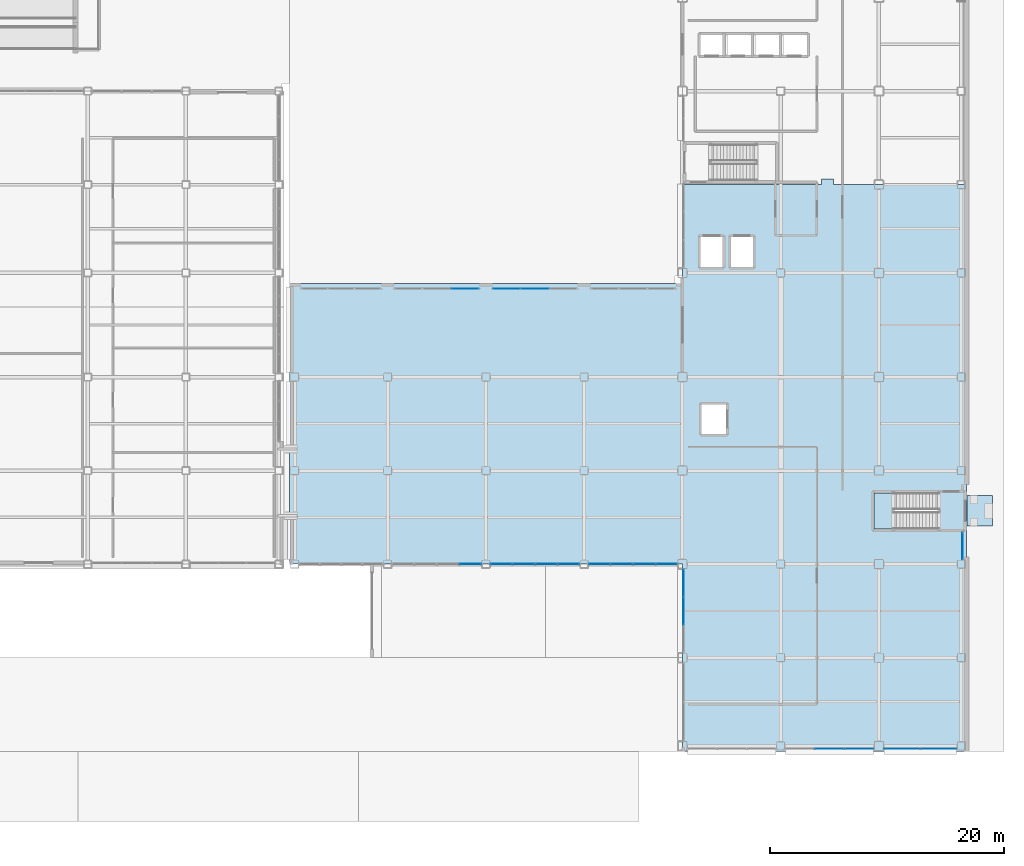
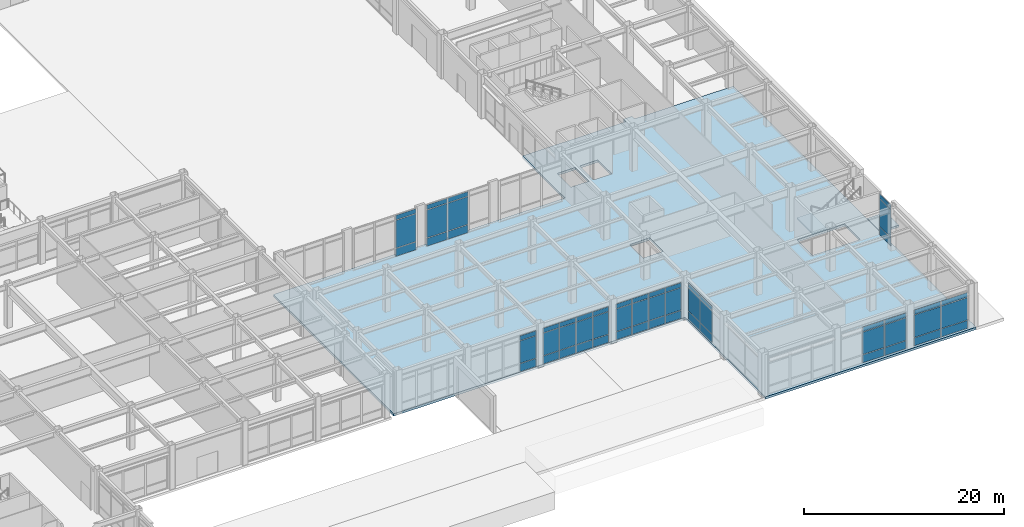
# One storey, part 120 of 165: 57 plates, 3 slabs, 10 elements without a shape of their own.
"""IFC4 building model written with IfcOpenShell, lengths in metres."""

from ifc_helpers import new_model, si_unit, direction, frame, origin, origin_2d, place, context, subcontext, project, spatial, polyline, rectangle, outline, extrude, material, layer, layer_set, type_object, element, aggregate, save


model = new_model("IFC4")

# Units and contexts
model_context = context("Model", 3, precision=1e-05, world=origin(), true_north=direction((0.0, 1.0)))
body_context = subcontext(model_context, "Body", "Model", "MODEL_VIEW")
ifc_project = project(units=[si_unit("LENGTHUNIT", "METRE"), si_unit("AREAUNIT", "SQUARE_METRE"), si_unit("VOLUMEUNIT", "CUBIC_METRE"), si_unit("PLANEANGLEUNIT", "RADIAN"), si_unit("MASSUNIT", "GRAM", prefix="KILO")], contexts=[model_context])

# Site, building, storey
site_placement = place(None, origin())
site = spatial("IfcSite", under=ifc_project, at=site_placement, CompositionType="ELEMENT")
building_placement = place(site_placement, origin())
building = spatial("IfcBuilding", under=site, at=building_placement, Name="Kazehara Bluff Congress Hotel", CompositionType="ELEMENT")
storey_placement = place(building_placement, origin())
storey = spatial("IfcBuildingStorey", under=building, at=storey_placement, Name="L00", CompositionType="ELEMENT", Elevation=0.0)

# Curtain wall, plates
ifc_material_1 = material(Name="Anodised aluminium", Category="aluminium")
ifc_layer_1 = layer(ifc_material_1, 0.159912109375)
ifc_layer_set_1 = layer_set([ifc_layer_1], Name="Anodised aluminium")
curtain_wall_type_1 = type_object("IfcCurtainWallType", Name="TP-CW-26", PredefinedType="NOTDEFINED", material=ifc_layer_set_1)
curtain_wall_1_placement = place(storey_placement, origin())
curtain_wall_1 = element("IfcCurtainWall", 1, at=curtain_wall_1_placement, inside=storey, type_object=curtain_wall_type_1, Name="L00 curtain wall CW-26 CW-V5-L00-Y1600-11885", PredefinedType="NOTDEFINED")
ifc_material_2 = material(Name="Insulated low-E double glazing", Category="glass")
ifc_layer_2 = layer(ifc_material_2, 0.031982421875)
ifc_layer_set_2 = layer_set([ifc_layer_2], Name="Insulated low-E double glazing")
plate_type = type_object("IfcPlateType", Name="TP-CWP-02", PredefinedType="CURTAIN_PANEL", material=ifc_layer_set_2)
plate_1_placement = place(storey_placement, frame((125.570068359375, 16.0, 0.06494140625), z_axis=(0.0, 0.0, 1.0), x_axis=(1.0, 0.0, 0.0)))
plate_1 = element("IfcPlate", 2, at=plate_1_placement, type_object=plate_type, Name="CW-26 panel 4.1", PredefinedType="CURTAIN_PANEL", context=body_context, shape_type="SweptSolid", body=[
    extrude(rectangle(XDim=1.820068359375, YDim=0.031982421875, at=origin_2d()), origin(), (0.0, 0.0, 1.0), 0.952392578125),
])
plate_2_placement = place(storey_placement, frame((125.570068359375, 16.0, 1.08251953125), z_axis=(0.0, 0.0, 1.0), x_axis=(1.0, 0.0, 0.0)))
plate_2 = element("IfcPlate", 3, at=plate_2_placement, type_object=plate_type, Name="CW-26 panel 4.2", PredefinedType="CURTAIN_PANEL", context=body_context, shape_type="SweptSolid", body=[
    extrude(rectangle(XDim=1.820068359375, YDim=0.031982421875, at=origin_2d()), origin(), (0.0, 0.0, 1.0), 2.7099609375),
])
plate_3_placement = place(storey_placement, frame((125.570068359375, 16.0, 3.857421875), z_axis=(0.0, 0.0, 1.0), x_axis=(1.0, 0.0, 0.0)))
plate_3 = element("IfcPlate", 4, at=plate_3_placement, type_object=plate_type, Name="CW-26 panel 4.3", PredefinedType="CURTAIN_PANEL", context=body_context, shape_type="SweptSolid", body=[
    extrude(rectangle(XDim=1.820068359375, YDim=0.031982421875, at=origin_2d()), origin(), (0.0, 0.0, 1.0), 0.552490234375),
])
aggregate(curtain_wall_1, [plate_1, plate_2, plate_3])

curtain_wall_2_placement = place(storey_placement, origin())
curtain_wall_2 = element("IfcCurtainWall", 5, at=curtain_wall_2_placement, inside=storey, type_object=curtain_wall_type_1, Name="L00 curtain wall CW-26 CW-V5-L00-Y1600-12725", PredefinedType="NOTDEFINED")
plate_4_placement = place(storey_placement, frame((128.22998046875, 16.0, 0.06494140625), z_axis=(0.0, 0.0, 1.0), x_axis=(1.0, 0.0, 0.0)))
plate_4 = element("IfcPlate", 6, at=plate_4_placement, type_object=plate_type, Name="CW-26 panel 1.1", PredefinedType="CURTAIN_PANEL", context=body_context, shape_type="SweptSolid", body=[
    extrude(rectangle(XDim=1.820068359375, YDim=0.031982421875, at=origin_2d()), origin(), (0.0, 0.0, 1.0), 0.952392578125),
])
plate_5_placement = place(storey_placement, frame((128.22998046875, 16.0, 1.08251953125), z_axis=(0.0, 0.0, 1.0), x_axis=(1.0, 0.0, 0.0)))
plate_5 = element("IfcPlate", 7, at=plate_5_placement, type_object=plate_type, Name="CW-26 panel 1.2", PredefinedType="CURTAIN_PANEL", context=body_context, shape_type="SweptSolid", body=[
    extrude(rectangle(XDim=1.820068359375, YDim=0.031982421875, at=origin_2d()), origin(), (0.0, 0.0, 1.0), 2.7099609375),
])
plate_6_placement = place(storey_placement, frame((128.22998046875, 16.0, 3.857421875), z_axis=(0.0, 0.0, 1.0), x_axis=(1.0, 0.0, 0.0)))
plate_6 = element("IfcPlate", 8, at=plate_6_placement, type_object=plate_type, Name="CW-26 panel 1.3", PredefinedType="CURTAIN_PANEL", context=body_context, shape_type="SweptSolid", body=[
    extrude(rectangle(XDim=1.820068359375, YDim=0.031982421875, at=origin_2d()), origin(), (0.0, 0.0, 1.0), 0.552490234375),
])
plate_7_placement = place(storey_placement, frame((130.137451171875, 16.0, 0.06494140625), z_axis=(0.0, 0.0, 1.0), x_axis=(1.0, 0.0, 0.0)))
plate_7 = element("IfcPlate", 9, at=plate_7_placement, type_object=plate_type, Name="CW-26 panel 2.1", PredefinedType="CURTAIN_PANEL", context=body_context, shape_type="SweptSolid", body=[
    extrude(rectangle(XDim=1.85498046875, YDim=0.031982421875, at=origin_2d()), origin(), (0.0, 0.0, 1.0), 0.952392578125),
])
plate_8_placement = place(storey_placement, frame((130.137451171875, 16.0, 1.08251953125), z_axis=(0.0, 0.0, 1.0), x_axis=(1.0, 0.0, 0.0)))
plate_8 = element("IfcPlate", 10, at=plate_8_placement, type_object=plate_type, Name="CW-26 panel 2.2", PredefinedType="CURTAIN_PANEL", context=body_context, shape_type="SweptSolid", body=[
    extrude(rectangle(XDim=1.85498046875, YDim=0.031982421875, at=origin_2d()), origin(), (0.0, 0.0, 1.0), 2.7099609375),
])
plate_9_placement = place(storey_placement, frame((130.137451171875, 16.0, 3.857421875), z_axis=(0.0, 0.0, 1.0), x_axis=(1.0, 0.0, 0.0)))
plate_9 = element("IfcPlate", 11, at=plate_9_placement, type_object=plate_type, Name="CW-26 panel 2.3", PredefinedType="CURTAIN_PANEL", context=body_context, shape_type="SweptSolid", body=[
    extrude(rectangle(XDim=1.85498046875, YDim=0.031982421875, at=origin_2d()), origin(), (0.0, 0.0, 1.0), 0.552490234375),
])
plate_10_placement = place(storey_placement, frame((132.0625, 16.0, 0.06494140625), z_axis=(0.0, 0.0, 1.0), x_axis=(1.0, 0.0, 0.0)))
plate_10 = element("IfcPlate", 12, at=plate_10_placement, type_object=plate_type, Name="CW-26 panel 3.1", PredefinedType="CURTAIN_PANEL", context=body_context, shape_type="SweptSolid", body=[
    extrude(rectangle(XDim=1.85498046875, YDim=0.031982421875, at=origin_2d()), origin(), (0.0, 0.0, 1.0), 0.952392578125),
])
plate_11_placement = place(storey_placement, frame((132.0625, 16.0, 1.08251953125), z_axis=(0.0, 0.0, 1.0), x_axis=(1.0, 0.0, 0.0)))
plate_11 = element("IfcPlate", 13, at=plate_11_placement, type_object=plate_type, Name="CW-26 panel 3.2", PredefinedType="CURTAIN_PANEL", context=body_context, shape_type="SweptSolid", body=[
    extrude(rectangle(XDim=1.85498046875, YDim=0.031982421875, at=origin_2d()), origin(), (0.0, 0.0, 1.0), 2.7099609375),
])
plate_12_placement = place(storey_placement, frame((132.0625, 16.0, 3.857421875), z_axis=(0.0, 0.0, 1.0), x_axis=(1.0, 0.0, 0.0)))
plate_12 = element("IfcPlate", 14, at=plate_12_placement, type_object=plate_type, Name="CW-26 panel 3.3", PredefinedType="CURTAIN_PANEL", context=body_context, shape_type="SweptSolid", body=[
    extrude(rectangle(XDim=1.85498046875, YDim=0.031982421875, at=origin_2d()), origin(), (0.0, 0.0, 1.0), 0.552490234375),
])
plate_13_placement = place(storey_placement, frame((133.969970703125, 16.0, 0.06494140625), z_axis=(0.0, 0.0, 1.0), x_axis=(1.0, 0.0, 0.0)))
plate_13 = element("IfcPlate", 15, at=plate_13_placement, type_object=plate_type, Name="CW-26 panel 4.1", PredefinedType="CURTAIN_PANEL", context=body_context, shape_type="SweptSolid", body=[
    extrude(rectangle(XDim=1.820068359375, YDim=0.031982421875, at=origin_2d()), origin(), (0.0, 0.0, 1.0), 0.952392578125),
])
plate_14_placement = place(storey_placement, frame((133.969970703125, 16.0, 1.08251953125), z_axis=(0.0, 0.0, 1.0), x_axis=(1.0, 0.0, 0.0)))
plate_14 = element("IfcPlate", 16, at=plate_14_placement, type_object=plate_type, Name="CW-26 panel 4.2", PredefinedType="CURTAIN_PANEL", context=body_context, shape_type="SweptSolid", body=[
    extrude(rectangle(XDim=1.820068359375, YDim=0.031982421875, at=origin_2d()), origin(), (0.0, 0.0, 1.0), 2.7099609375),
])
plate_15_placement = place(storey_placement, frame((133.969970703125, 16.0, 3.857421875), z_axis=(0.0, 0.0, 1.0), x_axis=(1.0, 0.0, 0.0)))
plate_15 = element("IfcPlate", 17, at=plate_15_placement, type_object=plate_type, Name="CW-26 panel 4.3", PredefinedType="CURTAIN_PANEL", context=body_context, shape_type="SweptSolid", body=[
    extrude(rectangle(XDim=1.820068359375, YDim=0.031982421875, at=origin_2d()), origin(), (0.0, 0.0, 1.0), 0.552490234375),
])
aggregate(curtain_wall_2, [plate_4, plate_5, plate_6, plate_7, plate_8, plate_9, plate_10, plate_11, plate_12, plate_13, plate_14, plate_15])

ifc_material_3 = material(Name="Anodised aluminium", Category="aluminium")
ifc_layer_3 = layer(ifc_material_3, 0.159912109375)
ifc_layer_set_3 = layer_set([ifc_layer_3], Name="Anodised aluminium")
curtain_wall_type_2 = type_object("IfcCurtainWallType", Name="TP-CW-19", PredefinedType="NOTDEFINED", material=ifc_layer_set_3)
curtain_wall_3_placement = place(storey_placement, origin())
curtain_wall_3 = element("IfcCurtainWall", 18, at=curtain_wall_3_placement, inside=storey, type_object=curtain_wall_type_2, Name="L00 curtain wall CW-19 CW-V5-L00-Y1600-13565", PredefinedType="NOTDEFINED")
plate_16_placement = place(storey_placement, frame((136.623779296875, 16.0, 0.06494140625), z_axis=(0.0, 0.0, 1.0), x_axis=(1.0, 0.0, 0.0)))
plate_16 = element("IfcPlate", 19, at=plate_16_placement, type_object=plate_type, Name="CW-19 panel 1.1", PredefinedType="CURTAIN_PANEL", context=body_context, shape_type="SweptSolid", body=[
    extrude(rectangle(XDim=1.8076171875, YDim=0.031982421875, at=origin_2d()), origin(), (0.0, 0.0, 1.0), 0.952392578125),
])
plate_17_placement = place(storey_placement, frame((136.623779296875, 16.0, 1.08251953125), z_axis=(0.0, 0.0, 1.0), x_axis=(1.0, 0.0, 0.0)))
plate_17 = element("IfcPlate", 20, at=plate_17_placement, type_object=plate_type, Name="CW-19 panel 1.2", PredefinedType="CURTAIN_PANEL", context=body_context, shape_type="SweptSolid", body=[
    extrude(rectangle(XDim=1.8076171875, YDim=0.031982421875, at=origin_2d()), origin(), (0.0, 0.0, 1.0), 2.7099609375),
])
plate_18_placement = place(storey_placement, frame((136.623779296875, 16.0, 3.857421875), z_axis=(0.0, 0.0, 1.0), x_axis=(1.0, 0.0, 0.0)))
plate_18 = element("IfcPlate", 21, at=plate_18_placement, type_object=plate_type, Name="CW-19 panel 1.3", PredefinedType="CURTAIN_PANEL", context=body_context, shape_type="SweptSolid", body=[
    extrude(rectangle(XDim=1.8076171875, YDim=0.031982421875, at=origin_2d()), origin(), (0.0, 0.0, 1.0), 0.552490234375),
])
plate_19_placement = place(storey_placement, frame((138.518798828125, 16.0, 0.06494140625), z_axis=(0.0, 0.0, 1.0), x_axis=(1.0, 0.0, 0.0)))
plate_19 = element("IfcPlate", 22, at=plate_19_placement, type_object=plate_type, Name="CW-19 panel 2.1", PredefinedType="CURTAIN_PANEL", context=body_context, shape_type="SweptSolid", body=[
    extrude(rectangle(XDim=1.842529296875, YDim=0.031982421875, at=origin_2d()), origin(), (0.0, 0.0, 1.0), 0.952392578125),
])
plate_20_placement = place(storey_placement, frame((138.518798828125, 16.0, 1.08251953125), z_axis=(0.0, 0.0, 1.0), x_axis=(1.0, 0.0, 0.0)))
plate_20 = element("IfcPlate", 23, at=plate_20_placement, type_object=plate_type, Name="CW-19 panel 2.2", PredefinedType="CURTAIN_PANEL", context=body_context, shape_type="SweptSolid", body=[
    extrude(rectangle(XDim=1.842529296875, YDim=0.031982421875, at=origin_2d()), origin(), (0.0, 0.0, 1.0), 2.7099609375),
])
plate_21_placement = place(storey_placement, frame((138.518798828125, 16.0, 3.857421875), z_axis=(0.0, 0.0, 1.0), x_axis=(1.0, 0.0, 0.0)))
plate_21 = element("IfcPlate", 24, at=plate_21_placement, type_object=plate_type, Name="CW-19 panel 2.3", PredefinedType="CURTAIN_PANEL", context=body_context, shape_type="SweptSolid", body=[
    extrude(rectangle(XDim=1.842529296875, YDim=0.031982421875, at=origin_2d()), origin(), (0.0, 0.0, 1.0), 0.552490234375),
])
plate_22_placement = place(storey_placement, frame((140.43115234375, 16.0, 0.06494140625), z_axis=(0.0, 0.0, 1.0), x_axis=(1.0, 0.0, 0.0)))
plate_22 = element("IfcPlate", 25, at=plate_22_placement, type_object=plate_type, Name="CW-19 panel 3.1", PredefinedType="CURTAIN_PANEL", context=body_context, shape_type="SweptSolid", body=[
    extrude(rectangle(XDim=1.842529296875, YDim=0.031982421875, at=origin_2d()), origin(), (0.0, 0.0, 1.0), 0.952392578125),
])
plate_23_placement = place(storey_placement, frame((140.43115234375, 16.0, 1.08251953125), z_axis=(0.0, 0.0, 1.0), x_axis=(1.0, 0.0, 0.0)))
plate_23 = element("IfcPlate", 26, at=plate_23_placement, type_object=plate_type, Name="CW-19 panel 3.2", PredefinedType="CURTAIN_PANEL", context=body_context, shape_type="SweptSolid", body=[
    extrude(rectangle(XDim=1.842529296875, YDim=0.031982421875, at=origin_2d()), origin(), (0.0, 0.0, 1.0), 2.7099609375),
])
plate_24_placement = place(storey_placement, frame((140.43115234375, 16.0, 3.857421875), z_axis=(0.0, 0.0, 1.0), x_axis=(1.0, 0.0, 0.0)))
plate_24 = element("IfcPlate", 27, at=plate_24_placement, type_object=plate_type, Name="CW-19 panel 3.3", PredefinedType="CURTAIN_PANEL", context=body_context, shape_type="SweptSolid", body=[
    extrude(rectangle(XDim=1.842529296875, YDim=0.031982421875, at=origin_2d()), origin(), (0.0, 0.0, 1.0), 0.552490234375),
])
plate_25_placement = place(storey_placement, frame((142.326171875, 16.0, 0.06494140625), z_axis=(0.0, 0.0, 1.0), x_axis=(1.0, 0.0, 0.0)))
plate_25 = element("IfcPlate", 28, at=plate_25_placement, type_object=plate_type, Name="CW-19 panel 4.1", PredefinedType="CURTAIN_PANEL", context=body_context, shape_type="SweptSolid", body=[
    extrude(rectangle(XDim=1.8076171875, YDim=0.031982421875, at=origin_2d()), origin(), (0.0, 0.0, 1.0), 0.952392578125),
])
plate_26_placement = place(storey_placement, frame((142.326171875, 16.0, 1.08251953125), z_axis=(0.0, 0.0, 1.0), x_axis=(1.0, 0.0, 0.0)))
plate_26 = element("IfcPlate", 29, at=plate_26_placement, type_object=plate_type, Name="CW-19 panel 4.2", PredefinedType="CURTAIN_PANEL", context=body_context, shape_type="SweptSolid", body=[
    extrude(rectangle(XDim=1.8076171875, YDim=0.031982421875, at=origin_2d()), origin(), (0.0, 0.0, 1.0), 2.7099609375),
])
plate_27_placement = place(storey_placement, frame((142.326171875, 16.0, 3.857421875), z_axis=(0.0, 0.0, 1.0), x_axis=(1.0, 0.0, 0.0)))
plate_27 = element("IfcPlate", 30, at=plate_27_placement, type_object=plate_type, Name="CW-19 panel 4.3", PredefinedType="CURTAIN_PANEL", context=body_context, shape_type="SweptSolid", body=[
    extrude(rectangle(XDim=1.8076171875, YDim=0.031982421875, at=origin_2d()), origin(), (0.0, 0.0, 1.0), 0.552490234375),
])
aggregate(curtain_wall_3, [plate_16, plate_17, plate_18, plate_19, plate_20, plate_21, plate_22, plate_23, plate_24, plate_25, plate_26, plate_27])

ifc_material_4 = material(Name="Anodised aluminium", Category="aluminium")
ifc_layer_4 = layer(ifc_material_4, 0.159912109375)
ifc_layer_set_4 = layer_set([ifc_layer_4], Name="Anodised aluminium")
curtain_wall_type_3 = type_object("IfcCurtainWallType", Name="TP-CW-46", PredefinedType="NOTDEFINED", material=ifc_layer_set_4)
curtain_wall_4_placement = place(storey_placement, origin())
curtain_wall_4 = element("IfcCurtainWall", 31, at=curtain_wall_4_placement, inside=storey, type_object=curtain_wall_type_3, Name="L00 curtain wall CW-46 CW-V5-L00-Y3955-11905", PredefinedType="NOTDEFINED")
plate_28_placement = place(storey_placement, frame((125.11572265625, 39.550048828125, 0.06494140625), z_axis=(0.0, 0.0, 1.0), x_axis=(1.0, 0.0, 0.0)))
plate_28 = element("IfcPlate", 32, at=plate_28_placement, type_object=plate_type, Name="CW-46 panel 3.1", PredefinedType="CURTAIN_PANEL", context=body_context, shape_type="SweptSolid", body=[
    extrude(rectangle(XDim=2.328369140625, YDim=0.031982421875, at=origin_2d()), origin(), (0.0, 0.0, 1.0), 0.952392578125),
])
plate_29_placement = place(storey_placement, frame((125.11572265625, 39.550048828125, 1.08251953125), z_axis=(0.0, 0.0, 1.0), x_axis=(1.0, 0.0, 0.0)))
plate_29 = element("IfcPlate", 33, at=plate_29_placement, type_object=plate_type, Name="CW-46 panel 3.2", PredefinedType="CURTAIN_PANEL", context=body_context, shape_type="SweptSolid", body=[
    extrude(rectangle(XDim=2.328369140625, YDim=0.031982421875, at=origin_2d()), origin(), (0.0, 0.0, 1.0), 3.3701171875),
])
plate_30_placement = place(storey_placement, frame((125.11572265625, 39.550048828125, 4.517578125), z_axis=(0.0, 0.0, 1.0), x_axis=(1.0, 0.0, 0.0)))
plate_30 = element("IfcPlate", 34, at=plate_30_placement, type_object=plate_type, Name="CW-46 panel 3.3", PredefinedType="CURTAIN_PANEL", context=body_context, shape_type="SweptSolid", body=[
    extrude(rectangle(XDim=2.328369140625, YDim=0.031982421875, at=origin_2d()), origin(), (0.0, 0.0, 1.0), 0.552490234375),
])
aggregate(curtain_wall_4, [plate_28, plate_29, plate_30])

curtain_wall_5_placement = place(storey_placement, origin())
curtain_wall_5 = element("IfcCurtainWall", 35, at=curtain_wall_5_placement, inside=storey, type_object=curtain_wall_type_3, Name="L00 curtain wall CW-46 CW-V5-L00-Y3955-12745", PredefinedType="NOTDEFINED")
plate_31_placement = place(storey_placement, frame((128.68408203125, 39.550048828125, 0.06494140625), z_axis=(0.0, 0.0, 1.0), x_axis=(1.0, 0.0, 0.0)))
plate_31 = element("IfcPlate", 36, at=plate_31_placement, type_object=plate_type, Name="CW-46 panel 1.1", PredefinedType="CURTAIN_PANEL", context=body_context, shape_type="SweptSolid", body=[
    extrude(rectangle(XDim=2.328369140625, YDim=0.031982421875, at=origin_2d()), origin(), (0.0, 0.0, 1.0), 0.952392578125),
])
plate_32_placement = place(storey_placement, frame((128.68408203125, 39.550048828125, 1.08251953125), z_axis=(0.0, 0.0, 1.0), x_axis=(1.0, 0.0, 0.0)))
plate_32 = element("IfcPlate", 37, at=plate_32_placement, type_object=plate_type, Name="CW-46 panel 1.2", PredefinedType="CURTAIN_PANEL", context=body_context, shape_type="SweptSolid", body=[
    extrude(rectangle(XDim=2.328369140625, YDim=0.031982421875, at=origin_2d()), origin(), (0.0, 0.0, 1.0), 3.3701171875),
])
plate_33_placement = place(storey_placement, frame((128.68408203125, 39.550048828125, 4.517578125), z_axis=(0.0, 0.0, 1.0), x_axis=(1.0, 0.0, 0.0)))
plate_33 = element("IfcPlate", 38, at=plate_33_placement, type_object=plate_type, Name="CW-46 panel 1.3", PredefinedType="CURTAIN_PANEL", context=body_context, shape_type="SweptSolid", body=[
    extrude(rectangle(XDim=2.328369140625, YDim=0.031982421875, at=origin_2d()), origin(), (0.0, 0.0, 1.0), 0.552490234375),
])
plate_34_placement = place(storey_placement, frame((131.10009765625, 39.550048828125, 0.06494140625), z_axis=(0.0, 0.0, 1.0), x_axis=(1.0, 0.0, 0.0)))
plate_34 = element("IfcPlate", 39, at=plate_34_placement, type_object=plate_type, Name="CW-46 panel 2.1", PredefinedType="CURTAIN_PANEL", context=body_context, shape_type="SweptSolid", body=[
    extrude(rectangle(XDim=2.36328125, YDim=0.031982421875, at=origin_2d()), origin(), (0.0, 0.0, 1.0), 0.952392578125),
])
plate_35_placement = place(storey_placement, frame((131.10009765625, 39.550048828125, 1.08251953125), z_axis=(0.0, 0.0, 1.0), x_axis=(1.0, 0.0, 0.0)))
plate_35 = element("IfcPlate", 40, at=plate_35_placement, type_object=plate_type, Name="CW-46 panel 2.2", PredefinedType="CURTAIN_PANEL", context=body_context, shape_type="SweptSolid", body=[
    extrude(rectangle(XDim=2.36328125, YDim=0.031982421875, at=origin_2d()), origin(), (0.0, 0.0, 1.0), 3.3701171875),
])
plate_36_placement = place(storey_placement, frame((131.10009765625, 39.550048828125, 4.517578125), z_axis=(0.0, 0.0, 1.0), x_axis=(1.0, 0.0, 0.0)))
plate_36 = element("IfcPlate", 41, at=plate_36_placement, type_object=plate_type, Name="CW-46 panel 2.3", PredefinedType="CURTAIN_PANEL", context=body_context, shape_type="SweptSolid", body=[
    extrude(rectangle(XDim=2.36328125, YDim=0.031982421875, at=origin_2d()), origin(), (0.0, 0.0, 1.0), 0.552490234375),
])
aggregate(curtain_wall_5, [plate_31, plate_32, plate_33, plate_34, plate_35, plate_36])

curtain_wall_6_placement = place(storey_placement, origin())
curtain_wall_6 = element("IfcCurtainWall", 42, at=curtain_wall_6_placement, inside=storey, type_object=curtain_wall_type_2, Name="L00 curtain wall CW-19 CW-ENC-V5-L00-15627-22", PredefinedType="NOTDEFINED")
plate_37_placement = place(storey_placement, frame((158.8076171875, 0.219970703125, 0.06494140625), z_axis=(0.0, 0.0, 1.0), x_axis=(-1.0, 0.0, 0.0)))
plate_37 = element("IfcPlate", 43, at=plate_37_placement, type_object=plate_type, Name="CW-19 panel 1.1", PredefinedType="CURTAIN_PANEL", context=body_context, shape_type="SweptSolid", body=[
    extrude(rectangle(XDim=2.445068359375, YDim=0.031982421875, at=origin_2d()), origin(), (0.0, 0.0, 1.0), 0.952392578125),
])
plate_38_placement = place(storey_placement, frame((158.8076171875, 0.219970703125, 1.08251953125), z_axis=(0.0, 0.0, 1.0), x_axis=(-1.0, 0.0, 0.0)))
plate_38 = element("IfcPlate", 44, at=plate_38_placement, type_object=plate_type, Name="CW-19 panel 1.2", PredefinedType="CURTAIN_PANEL", context=body_context, shape_type="SweptSolid", body=[
    extrude(rectangle(XDim=2.445068359375, YDim=0.031982421875, at=origin_2d()), origin(), (0.0, 0.0, 1.0), 2.7099609375),
])
plate_39_placement = place(storey_placement, frame((158.8076171875, 0.219970703125, 3.857421875), z_axis=(0.0, 0.0, 1.0), x_axis=(-1.0, 0.0, 0.0)))
plate_39 = element("IfcPlate", 45, at=plate_39_placement, type_object=plate_type, Name="CW-19 panel 1.3", PredefinedType="CURTAIN_PANEL", context=body_context, shape_type="SweptSolid", body=[
    extrude(rectangle(XDim=2.445068359375, YDim=0.031982421875, at=origin_2d()), origin(), (0.0, 0.0, 1.0), 0.552490234375),
])
plate_40_placement = place(storey_placement, frame((156.27490234375, 0.219970703125, 0.06494140625), z_axis=(0.0, 0.0, 1.0), x_axis=(-1.0, 0.0, 0.0)))
plate_40 = element("IfcPlate", 46, at=plate_40_placement, type_object=plate_type, Name="CW-19 panel 2.1", PredefinedType="CURTAIN_PANEL", context=body_context, shape_type="SweptSolid", body=[
    extrude(rectangle(XDim=2.47998046875, YDim=0.031982421875, at=origin_2d()), origin(), (0.0, 0.0, 1.0), 0.952392578125),
])
plate_41_placement = place(storey_placement, frame((156.27490234375, 0.219970703125, 1.08251953125), z_axis=(0.0, 0.0, 1.0), x_axis=(-1.0, 0.0, 0.0)))
plate_41 = element("IfcPlate", 47, at=plate_41_placement, type_object=plate_type, Name="CW-19 panel 2.2", PredefinedType="CURTAIN_PANEL", context=body_context, shape_type="SweptSolid", body=[
    extrude(rectangle(XDim=2.47998046875, YDim=0.031982421875, at=origin_2d()), origin(), (0.0, 0.0, 1.0), 2.7099609375),
])
plate_42_placement = place(storey_placement, frame((156.27490234375, 0.219970703125, 3.857421875), z_axis=(0.0, 0.0, 1.0), x_axis=(-1.0, 0.0, 0.0)))
plate_42 = element("IfcPlate", 48, at=plate_42_placement, type_object=plate_type, Name="CW-19 panel 2.3", PredefinedType="CURTAIN_PANEL", context=body_context, shape_type="SweptSolid", body=[
    extrude(rectangle(XDim=2.47998046875, YDim=0.031982421875, at=origin_2d()), origin(), (0.0, 0.0, 1.0), 0.552490234375),
])
aggregate(curtain_wall_6, [plate_37, plate_38, plate_39, plate_40, plate_41, plate_42])

ifc_material_5 = material(Name="Anodised aluminium", Category="aluminium")
ifc_layer_5 = layer(ifc_material_5, 0.159912109375)
ifc_layer_set_5 = layer_set([ifc_layer_5], Name="Anodised aluminium")
curtain_wall_type_4 = type_object("IfcCurtainWallType", Name="TP-CW-99", PredefinedType="NOTDEFINED", material=ifc_layer_set_5)
curtain_wall_7_placement = place(storey_placement, origin())
curtain_wall_7 = element("IfcCurtainWall", 49, at=curtain_wall_7_placement, inside=storey, type_object=curtain_wall_type_4, Name="L00 curtain wall CW-99 CW-ENC-V5-L00-16405-22", PredefinedType="NOTDEFINED")
plate_43_placement = place(storey_placement, frame((165.607421875, 0.219970703125, 0.06005859375), z_axis=(0.0, 0.0, 1.0), x_axis=(-1.0, 0.0, 0.0)))
plate_43 = element("IfcPlate", 50, at=plate_43_placement, type_object=plate_type, Name="CW-99 panel 1.1", PredefinedType="CURTAIN_PANEL", context=body_context, shape_type="SweptSolid", body=[
    extrude(rectangle(XDim=3.044921875, YDim=0.031982421875, at=origin_2d()), origin(), (0.0, 0.0, 1.0), 0.9599609375),
])
plate_44_placement = place(storey_placement, frame((165.607421875, 0.219970703125, 1.080078125), z_axis=(0.0, 0.0, 1.0), x_axis=(-1.0, 0.0, 0.0)))
plate_44 = element("IfcPlate", 51, at=plate_44_placement, type_object=plate_type, Name="CW-99 panel 1.2", PredefinedType="CURTAIN_PANEL", context=body_context, shape_type="SweptSolid", body=[
    extrude(rectangle(XDim=3.044921875, YDim=0.031982421875, at=origin_2d()), origin(), (0.0, 0.0, 1.0), 2.715087890625),
])
plate_45_placement = place(storey_placement, frame((165.607421875, 0.219970703125, 3.85498046875), z_axis=(0.0, 0.0, 1.0), x_axis=(-1.0, 0.0, 0.0)))
plate_45 = element("IfcPlate", 52, at=plate_45_placement, type_object=plate_type, Name="CW-99 panel 1.3", PredefinedType="CURTAIN_PANEL", context=body_context, shape_type="SweptSolid", body=[
    extrude(rectangle(XDim=3.044921875, YDim=0.031982421875, at=origin_2d()), origin(), (0.0, 0.0, 1.0), 0.56005859375),
])
plate_46_placement = place(storey_placement, frame((162.492431640625, 0.219970703125, 0.06005859375), z_axis=(0.0, 0.0, 1.0), x_axis=(-1.0, 0.0, 0.0)))
plate_46 = element("IfcPlate", 53, at=plate_46_placement, type_object=plate_type, Name="CW-99 panel 2.1", PredefinedType="CURTAIN_PANEL", context=body_context, shape_type="SweptSolid", body=[
    extrude(rectangle(XDim=3.044921875, YDim=0.031982421875, at=origin_2d()), origin(), (0.0, 0.0, 1.0), 0.9599609375),
])
plate_47_placement = place(storey_placement, frame((162.492431640625, 0.219970703125, 1.080078125), z_axis=(0.0, 0.0, 1.0), x_axis=(-1.0, 0.0, 0.0)))
plate_47 = element("IfcPlate", 54, at=plate_47_placement, type_object=plate_type, Name="CW-99 panel 2.2", PredefinedType="CURTAIN_PANEL", context=body_context, shape_type="SweptSolid", body=[
    extrude(rectangle(XDim=3.044921875, YDim=0.031982421875, at=origin_2d()), origin(), (0.0, 0.0, 1.0), 2.715087890625),
])
plate_48_placement = place(storey_placement, frame((162.492431640625, 0.219970703125, 3.85498046875), z_axis=(0.0, 0.0, 1.0), x_axis=(-1.0, 0.0, 0.0)))
plate_48 = element("IfcPlate", 55, at=plate_48_placement, type_object=plate_type, Name="CW-99 panel 2.3", PredefinedType="CURTAIN_PANEL", context=body_context, shape_type="SweptSolid", body=[
    extrude(rectangle(XDim=3.044921875, YDim=0.031982421875, at=origin_2d()), origin(), (0.0, 0.0, 1.0), 0.56005859375),
])
aggregate(curtain_wall_7, [plate_43, plate_44, plate_45, plate_46, plate_47, plate_48])

ifc_material_6 = material(Name="Anodised aluminium", Category="aluminium")
ifc_layer_6 = layer(ifc_material_6, 0.159912109375)
ifc_layer_set_6 = layer_set([ifc_layer_6], Name="Anodised aluminium")
curtain_wall_type_5 = type_object("IfcCurtainWallType", Name="TP-CW-100", PredefinedType="NOTDEFINED", material=ifc_layer_set_6)
curtain_wall_8_placement = place(storey_placement, origin())
curtain_wall_8 = element("IfcCurtainWall", 56, at=curtain_wall_8_placement, inside=storey, type_object=curtain_wall_type_5, Name="L00 curtain wall CW-100 CW-ENC-V5-L00-16765-1755", PredefinedType="NOTDEFINED")
plate_49_placement = place(storey_placement, frame((167.64990234375, 17.544921875, 0.06005859375), z_axis=(0.0, 0.0, 1.0), x_axis=(0.0, -1.0, 0.0)))
plate_49 = element("IfcPlate", 57, at=plate_49_placement, type_object=plate_type, Name="CW-100 panel 1.1", PredefinedType="CURTAIN_PANEL", context=body_context, shape_type="SweptSolid", body=[
    extrude(rectangle(XDim=2.25, YDim=0.031982421875, at=origin_2d()), origin(), (0.0, 0.0, 1.0), 0.9599609375),
])
plate_50_placement = place(storey_placement, frame((167.64990234375, 17.544921875, 1.080078125), z_axis=(0.0, 0.0, 1.0), x_axis=(0.0, -1.0, 0.0)))
plate_50 = element("IfcPlate", 58, at=plate_50_placement, type_object=plate_type, Name="CW-100 panel 1.2", PredefinedType="CURTAIN_PANEL", context=body_context, shape_type="SweptSolid", body=[
    extrude(rectangle(XDim=2.25, YDim=0.031982421875, at=origin_2d()), origin(), (0.0, 0.0, 1.0), 3.375),
])
plate_51_placement = place(storey_placement, frame((167.64990234375, 17.544921875, 4.514892578125), z_axis=(0.0, 0.0, 1.0), x_axis=(0.0, -1.0, 0.0)))
plate_51 = element("IfcPlate", 59, at=plate_51_placement, type_object=plate_type, Name="CW-100 panel 1.3", PredefinedType="CURTAIN_PANEL", context=body_context, shape_type="SweptSolid", body=[
    extrude(rectangle(XDim=2.25, YDim=0.031982421875, at=origin_2d()), origin(), (0.0, 0.0, 1.0), 0.56005859375),
])
aggregate(curtain_wall_8, [plate_49, plate_50, plate_51])

ifc_material_7 = material(Name="Anodised aluminium", Category="aluminium")
ifc_layer_7 = layer(ifc_material_7, 0.159912109375)
ifc_layer_set_7 = layer_set([ifc_layer_7], Name="Anodised aluminium")
curtain_wall_type_6 = type_object("IfcCurtainWallType", Name="TP-CW-104", PredefinedType="NOTDEFINED", material=ifc_layer_set_7)
curtain_wall_9_placement = place(storey_placement, origin())
curtain_wall_9 = element("IfcCurtainWall", 60, at=curtain_wall_9_placement, inside=storey, type_object=curtain_wall_type_6, Name="L00 curtain wall CW-104 CW-ENC-V5-L00-14380-1200", PredefinedType="NOTDEFINED")
plate_52_placement = place(storey_placement, frame((143.800048828125, 12.0, 0.06494140625), z_axis=(0.0, 0.0, 1.0), x_axis=(0.0, 1.0, 0.0)))
plate_52 = element("IfcPlate", 61, at=plate_52_placement, type_object=plate_type, Name="CW-104 panel 2.1", PredefinedType="CURTAIN_PANEL", context=body_context, shape_type="SweptSolid", body=[
    extrude(rectangle(XDim=2.330078125, YDim=0.031982421875, at=origin_2d()), origin(), (0.0, 0.0, 1.0), 0.952392578125),
])
plate_53_placement = place(storey_placement, frame((143.800048828125, 12.0, 1.08251953125), z_axis=(0.0, 0.0, 1.0), x_axis=(0.0, 1.0, 0.0)))
plate_53 = element("IfcPlate", 62, at=plate_53_placement, type_object=plate_type, Name="CW-104 panel 2.2", PredefinedType="CURTAIN_PANEL", context=body_context, shape_type="SweptSolid", body=[
    extrude(rectangle(XDim=2.330078125, YDim=0.031982421875, at=origin_2d()), origin(), (0.0, 0.0, 1.0), 2.81005859375),
])
plate_54_placement = place(storey_placement, frame((143.800048828125, 12.0, 3.95751953125), z_axis=(0.0, 0.0, 1.0), x_axis=(0.0, 1.0, 0.0)))
plate_54 = element("IfcPlate", 63, at=plate_54_placement, type_object=plate_type, Name="CW-104 panel 2.3", PredefinedType="CURTAIN_PANEL", context=body_context, shape_type="SweptSolid", body=[
    extrude(rectangle(XDim=2.330078125, YDim=0.031982421875, at=origin_2d()), origin(), (0.0, 0.0, 1.0), 0.552490234375),
])
plate_55_placement = place(storey_placement, frame((143.800048828125, 14.382568359375, 0.06494140625), z_axis=(0.0, 0.0, 1.0), x_axis=(0.0, 1.0, 0.0)))
plate_55 = element("IfcPlate", 64, at=plate_55_placement, type_object=plate_type, Name="CW-104 panel 3.1", PredefinedType="CURTAIN_PANEL", context=body_context, shape_type="SweptSolid", body=[
    extrude(rectangle(XDim=2.294921875, YDim=0.031982421875, at=origin_2d()), origin(), (0.0, 0.0, 1.0), 0.952392578125),
])
plate_56_placement = place(storey_placement, frame((143.800048828125, 14.382568359375, 1.08251953125), z_axis=(0.0, 0.0, 1.0), x_axis=(0.0, 1.0, 0.0)))
plate_56 = element("IfcPlate", 65, at=plate_56_placement, type_object=plate_type, Name="CW-104 panel 3.2", PredefinedType="CURTAIN_PANEL", context=body_context, shape_type="SweptSolid", body=[
    extrude(rectangle(XDim=2.294921875, YDim=0.031982421875, at=origin_2d()), origin(), (0.0, 0.0, 1.0), 2.81005859375),
])
plate_57_placement = place(storey_placement, frame((143.800048828125, 14.382568359375, 3.95751953125), z_axis=(0.0, 0.0, 1.0), x_axis=(0.0, 1.0, 0.0)))
plate_57 = element("IfcPlate", 66, at=plate_57_placement, type_object=plate_type, Name="CW-104 panel 3.3", PredefinedType="CURTAIN_PANEL", context=body_context, shape_type="SweptSolid", body=[
    extrude(rectangle(XDim=2.294921875, YDim=0.031982421875, at=origin_2d()), origin(), (0.0, 0.0, 1.0), 0.552490234375),
])
aggregate(curtain_wall_9, [plate_52, plate_53, plate_54, plate_55, plate_56, plate_57])

# Slabs
ifc_material_8 = material(Name="Concrete C36/45", Category="concrete")
ifc_layer_8 = layer(ifc_material_8, 0.25)
ifc_layer_set_8 = layer_set([ifc_layer_8], Name="Concrete C36/45")
slab_type_1 = type_object("IfcSlabType", Name="TP-SL-250", PredefinedType="FLOOR", material=ifc_layer_set_8)
slab_1_placement = place(storey_placement, frame((0.0, 0.0, -0.25)))
element("IfcSlab", 67, at=slab_1_placement, inside=storey, type_object=slab_type_1, Name="Escape Stair ST-10 exterior exit threshold slab", PredefinedType="FLOOR", context=body_context, shape_type="SweptSolid", body=[
    extrude(outline(polyline([(168.02001953125, 19.25), (170.199951171875, 19.25), (170.199951171875, 21.85009765625), (168.02001953125, 21.85009765625), (168.02001953125, 19.25)])), origin(), (0.0, 0.0, 1.0), 0.25),
])
ifc_material_9 = material(Name="Concrete C36/45", Category="concrete")
ifc_layer_9 = layer(ifc_material_9, 0.280029296875)
ifc_layer_set_9 = layer_set([ifc_layer_9], Name="Concrete C36/45")
slab_type_2 = type_object("IfcSlabType", Name="TP-SL-280", PredefinedType="FLOOR", material=ifc_layer_set_9)
slab_2_placement = place(storey_placement, frame((0.0, 0.0, -0.280029296875)))
element("IfcSlab", 68, at=slab_2_placement, inside=storey, type_object=slab_type_2, Name="L00 V5 composite floor slab S", PredefinedType="FLOOR", context=body_context, shape_type="SweptSolid", body=[
    extrude(outline(polyline([(143.699951171875, 0.0), (143.699951171875, 16.0), (110.10009765625, 16.0), (110.10009765625, 40.0), (143.699951171875, 40.0), (143.699951171875, 48.449951171875), (155.60009765625, 48.449951171875), (155.60009765625, 48.949951171875), (156.60009765625, 48.949951171875), (156.60009765625, 48.449951171875), (168.0, 48.449951171875), (168.0, 0.0), (143.699951171875, 0.0)]), holes=[polyline([(165.625, 22.10009765625), (160.10009765625, 22.10009765625), (160.10009765625, 19.0), (165.625, 19.0), (165.625, 22.10009765625)]), polyline([(145.14990234375, 41.324951171875), (147.25, 41.324951171875), (147.25, 44.074951171875), (145.14990234375, 44.074951171875), (145.14990234375, 41.324951171875)]), polyline([(147.75, 41.324951171875), (149.85009765625, 41.324951171875), (149.85009765625, 44.074951171875), (147.75, 44.074951171875), (147.75, 41.324951171875)]), polyline([(145.25, 27.050048828125), (147.550048828125, 27.050048828125), (147.550048828125, 29.75), (145.25, 29.75), (145.25, 27.050048828125)])]), origin(), (0.0, 0.0, 1.0), 0.280029296875),
])

# Stair, slab
ifc_material_10 = material(Name="Concrete C36/45", Category="concrete")
stair_type = type_object("IfcStairType", Name="TP-ST-T03", PredefinedType="HALF_TURN_STAIR", material=ifc_material_10)
stair_placement = place(storey_placement, origin())
stair = element("IfcStair", 69, at=stair_placement, inside=storey, type_object=stair_type, Name="L00 Escape stair ST-10", PredefinedType="HALF_TURN_STAIR")
ifc_material_11 = material(Name="Concrete C36/45", Category="concrete")
ifc_layer_10 = layer(ifc_material_11, 0.199951171875)
ifc_layer_set_10 = layer_set([ifc_layer_10], Name="Concrete C36/45")
slab_type_3 = type_object("IfcSlabType", Name="TP-SLD-200", PredefinedType="LANDING", material=ifc_layer_set_10)
slab_3_placement = place(storey_placement, frame((0.0, 0.0, 2.5)))
slab_3 = element("IfcSlab", 70, at=slab_3_placement, type_object=slab_type_3, Name="ST-10 landing 1", PredefinedType="LANDING", context=body_context, shape_type="SweptSolid", body=[
    extrude(outline(polyline([(161.72998046875, 22.10009765625), (160.10009765625, 22.10009765625), (160.10009765625, 19.0), (161.72998046875, 19.0), (161.72998046875, 22.10009765625)])), origin(), (0.0, 0.0, 1.0), 0.199951171875),
])
aggregate(stair, [slab_3])

save(model, "model.ifc")
